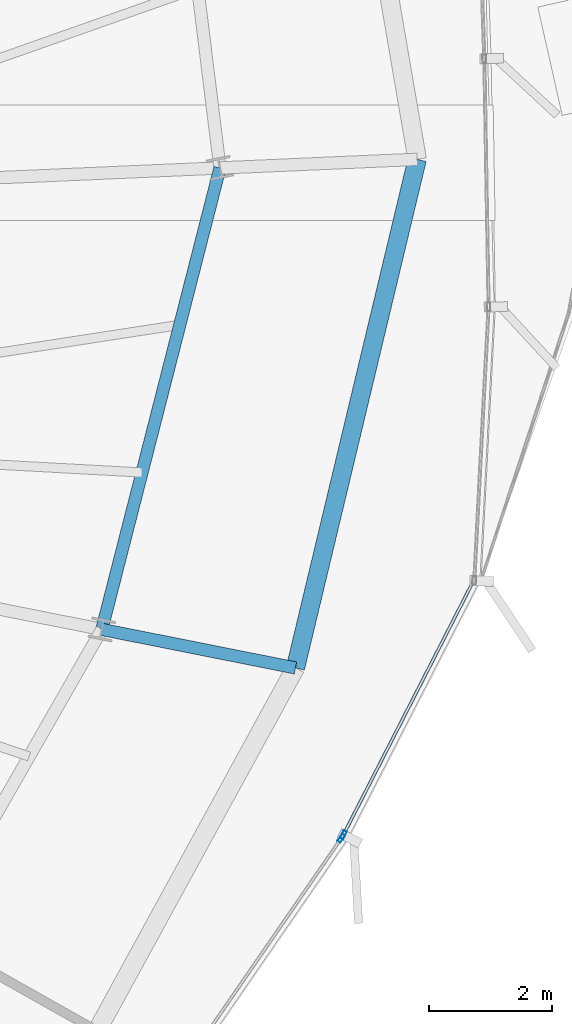
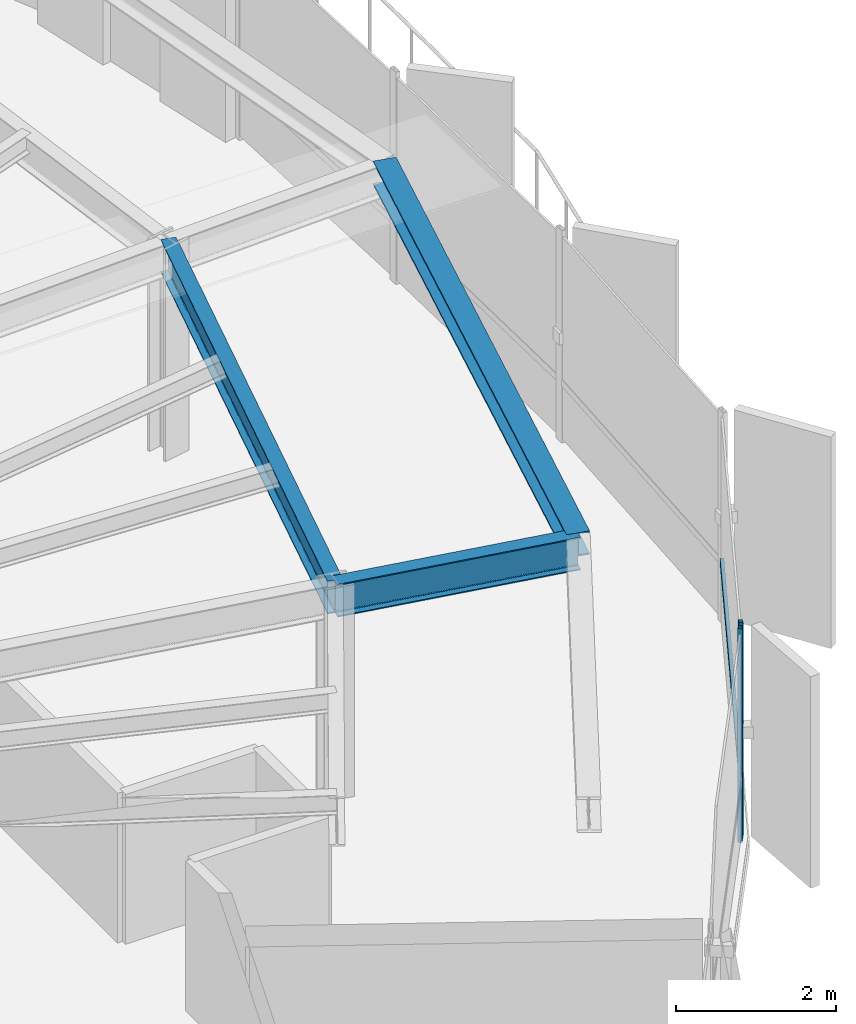
# One storey, part 17 of 35: 3 beams, 3 members, 2 elements without a shape of their own.
"""IFC4 building model written with IfcOpenShell, lengths in metres."""

from ifc_helpers import new_model, si_unit, direction, frame, origin, origin_2d, place, context, subcontext, project, spatial, hollow_rectangle, i_section, extrude, source, transform, mapped, material, layer, layer_set, material_profile, profile_set, type_object, element, aggregate, save


model = new_model("IFC4")

# Units and contexts
model_context = context("Model", 3, precision=1e-05, world=origin(), true_north=direction((0.0, 1.0)))
body_context = subcontext(model_context, "Body", "Model", "MODEL_VIEW")
ifc_project = project(units=[si_unit("LENGTHUNIT", "METRE"), si_unit("AREAUNIT", "SQUARE_METRE"), si_unit("VOLUMEUNIT", "CUBIC_METRE"), si_unit("PLANEANGLEUNIT", "RADIAN"), si_unit("MASSUNIT", "GRAM", prefix="KILO"), si_unit("THERMODYNAMICTEMPERATUREUNIT", "KELVIN")], contexts=[model_context])

# Site, building, storey
site_placement = place(None, origin())
site = spatial("IfcSite", under=ifc_project, at=site_placement, CompositionType="ELEMENT")
building_placement = place(site_placement, origin())
building = spatial("IfcBuilding", under=site, at=building_placement, Name="Kethvar Cultural Tower", CompositionType="ELEMENT")
storey_placement = place(building_placement, frame((0.0, 0.0, 179.89990234375)))
storey = spatial("IfcBuildingStorey", under=building, at=storey_placement, Name="L46", CompositionType="ELEMENT", Elevation=179.89990234375)

# Beams
ifc_material_1 = material(Name="Steel S355J2", Category="steel")
ifc_material_profile_1 = material_profile(ifc_material_1, i_section(OverallWidth=0.199951171875, OverallDepth=0.5, WebThickness=0.01025390625, FlangeThickness=0.01611328125, FilletRadius=0.02099609375, at=origin_2d()), Name="Steel S355J2 — IPE500")
ifc_profile_set_1 = profile_set([ifc_material_profile_1], Name="Steel S355J2 — IPE500")
beam_type_1 = type_object("IfcBeamType", Name="BM-IPE500", PredefinedType="BEAM", material=ifc_profile_set_1)
shared_shape_1 = source(origin(), body_context, "Body", "SweptSolid", [
    extrude(i_section(OverallWidth=0.199951171875, OverallDepth=0.5, WebThickness=0.01025390625, FlangeThickness=0.01611328125, FilletRadius=0.02099609375, at=origin_2d()), origin(), (0.0, 0.0, 1.0), 3.199951171875),
])
beam_1_placement = place(storey_placement, frame((64.648681640625, 24.249755859375, 3.008056640625), z_axis=(0.980785550224, -0.195088965533, 0.0), x_axis=(0.195088965533, 0.980785550224, 0.0)))
element("IfcBeam", 1, at=beam_1_placement, inside=storey, type_object=beam_type_1, Name="L46 Perimeter Cantilever Beam RC-16", PredefinedType="BEAM", context=body_context, shape_type="MappedRepresentation", body=[
    mapped(shared_shape_1, transform((0.0, 0.0, 0.0), scale=1.0)),
])
shared_shape_2 = source(origin(), body_context, "Body", "SweptSolid", [
    extrude(i_section(OverallWidth=0.199951171875, OverallDepth=0.5, WebThickness=0.01025390625, FlangeThickness=0.01611328125, FilletRadius=0.02099609375, at=origin_2d()), origin(), (0.0, 0.0, 1.0), 7.72265625),
])
beam_2_placement = place(storey_placement, frame((64.648681640625, 24.249755859375, 3.008056640625), z_axis=(0.248006445258, 0.968758382214, 0.0), x_axis=(-0.968758382214, 0.248006445258, 0.0)))
element("IfcBeam", 2, at=beam_2_placement, inside=storey, type_object=beam_type_1, Name="L46 Column Ring Tie Beam CR-16", PredefinedType="BEAM", context=body_context, shape_type="MappedRepresentation", body=[
    mapped(shared_shape_2, transform((0.0, 0.0, 0.0), scale=1.0)),
])
ifc_material_profile_2 = material_profile(ifc_material_1, i_section(OverallWidth=0.300048828125, OverallDepth=0.360107421875, WebThickness=0.012451171875, FlangeThickness=0.0224609375, FilletRadius=0.027099609375, at=origin_2d()), Name="Steel S355J2 — HEB360")
ifc_profile_set_2 = profile_set([ifc_material_profile_2], Name="Steel S355J2 — HEB360")
beam_type_2 = type_object("IfcBeamType", Name="BM-SP360", PredefinedType="SPANDREL", material=ifc_profile_set_2)
shared_shape_3 = source(origin(), body_context, "Body", "SweptSolid", [
    extrude(i_section(OverallWidth=0.300048828125, OverallDepth=0.360107421875, WebThickness=0.012451171875, FlangeThickness=0.0224609375, FilletRadius=0.027099609375, at=origin_2d()), origin(), (0.0, 0.0, 1.0), 8.47900390625),
])
beam_3_placement = place(storey_placement, frame((67.787109375, 23.62548828125, 3.078125), z_axis=(0.232794647368, 0.97252591336, 0.0), x_axis=(-0.97252591336, 0.232794647368, 0.0)))
element("IfcBeam", 3, at=beam_3_placement, inside=storey, type_object=beam_type_2, Name="L46 Perimeter Spandrel Beam SP-16", PredefinedType="SPANDREL", context=body_context, shape_type="MappedRepresentation", body=[
    mapped(shared_shape_3, transform((0.0, 0.0, 0.0), scale=1.0)),
])

# Curtain wall, member
ifc_material_2 = material(Name="Aluminium 6063-T6", Category="aluminium")
ifc_layer = layer(ifc_material_2, 0.179931640625, Name="Aluminium 6063-T6", Category="aluminium")
ifc_layer_set = layer_set([ifc_layer], Name="Aluminium 6063-T6 (180 mm)")
curtain_wall_type = type_object("IfcCurtainWallType", Name="CW-SYS-04-Z34", PredefinedType="NOTDEFINED", material=ifc_layer_set)
curtain_wall_1_placement = place(storey_placement, origin())
curtain_wall_1 = element("IfcCurtainWall", 4, at=curtain_wall_1_placement, inside=storey, type_object=curtain_wall_type, Name="L46 Curtain Wall Run 05", PredefinedType="NOTDEFINED")
ifc_material_profile_3 = material_profile(ifc_material_2, hollow_rectangle(XDim=0.06005859375, YDim=0.139892578125, WallThickness=0.0048828125, at=origin_2d()), Name="Aluminium 6063-T6 — RHS140x60x5")
ifc_profile_set_3 = profile_set([ifc_material_profile_3], Name="Aluminium 6063-T6 — RHS140x60x5")
member_type_1 = type_object("IfcMemberType", Name="CW-SYS-04-Z34-MUL", PredefinedType="MULLION", material=ifc_profile_set_3)
shared_shape_4 = source(origin(), body_context, "Body", "SweptSolid", [
    extrude(hollow_rectangle(XDim=0.06005859375, YDim=0.139892578125, WallThickness=0.0048828125, at=origin_2d()), origin(), (0.0, 0.0, 1.0), 3.260009765625),
])
member_1_placement = place(storey_placement, frame((68.531494140625, 20.864013671875, 0.0), z_axis=(0.0, 0.0, 1.0), x_axis=(-0.823334533242, 0.567556381667, 0.0)))
member_1 = element("IfcMember", 5, at=member_1_placement, type_object=member_type_1, Name="CW-L46-R05 Mullion 7", PredefinedType="MULLION", context=body_context, shape_type="MappedRepresentation", body=[
    mapped(shared_shape_4, transform((0.0, 0.0, 0.0), scale=1.0)),
])
aggregate(curtain_wall_1, [member_1])

# Curtain wall, members
curtain_wall_2_placement = place(storey_placement, origin())
curtain_wall_2 = element("IfcCurtainWall", 6, at=curtain_wall_2_placement, inside=storey, type_object=curtain_wall_type, Name="L46 Curtain Wall Run 06", PredefinedType="NOTDEFINED")
member_2_placement = place(storey_placement, frame((68.564208984375, 20.91845703125, 0.0), z_axis=(0.0, 0.0, 1.0), x_axis=(-0.88995028194, 0.456057557415, 0.0)))
member_2 = element("IfcMember", 7, at=member_2_placement, type_object=member_type_1, Name="CW-L46-R06 Mullion 1", PredefinedType="MULLION", context=body_context, shape_type="MappedRepresentation", body=[
    mapped(shared_shape_4, transform((0.0, 0.0, 0.0), scale=1.0)),
])
ifc_material_profile_4 = material_profile(ifc_material_2, hollow_rectangle(XDim=0.050048828125, YDim=0.10009765625, WallThickness=0.00390625, at=origin_2d()), Name="Aluminium 6063-T6 — RHS100x50x4")
ifc_profile_set_4 = profile_set([ifc_material_profile_4], Name="Aluminium 6063-T6 — RHS100x50x4")
member_type_2 = type_object("IfcMemberType", Name="CW-SYS-04-Z34-TRN", PredefinedType="USERDEFINED", material=ifc_profile_set_4)
shared_shape_5 = source(origin(), body_context, "Body", "SweptSolid", [
    extrude(hollow_rectangle(XDim=0.050048828125, YDim=0.10009765625, WallThickness=0.00390625, at=origin_2d()), origin(), (0.0, 0.0, 1.0), 4.63330078125),
])
member_3_placement = place(storey_placement, frame((68.566162109375, 20.922119140625, 0.9501953125), z_axis=(0.456043843376, 0.889957309605, 0.0), x_axis=(-0.889957309605, 0.456043843376, 0.0)))
member_3 = element("IfcMember", 8, at=member_3_placement, type_object=member_type_2, Name="CW-L46-R06 Transom 1", ObjectType="TRANSOM", PredefinedType="USERDEFINED", context=body_context, shape_type="MappedRepresentation", body=[
    mapped(shared_shape_5, transform((0.0, 0.0, 0.0), scale=1.0)),
])
aggregate(curtain_wall_2, [member_2, member_3])

save(model, "model.ifc")
